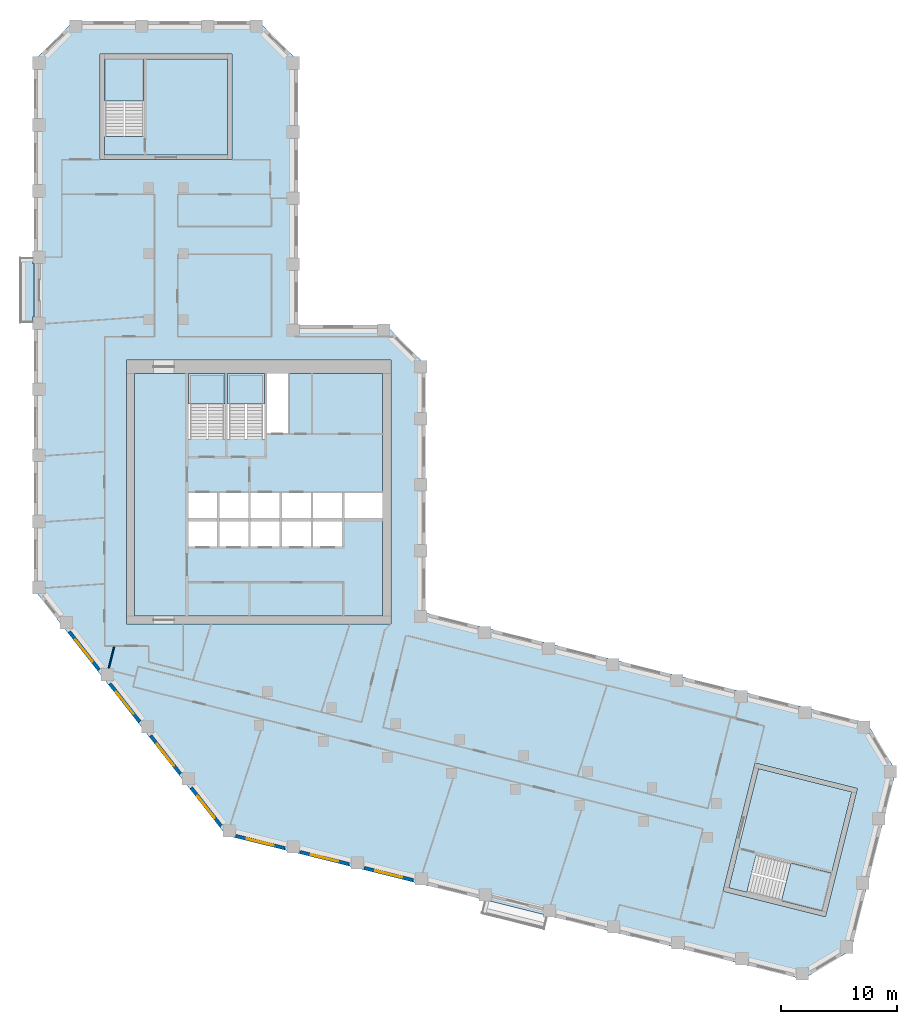
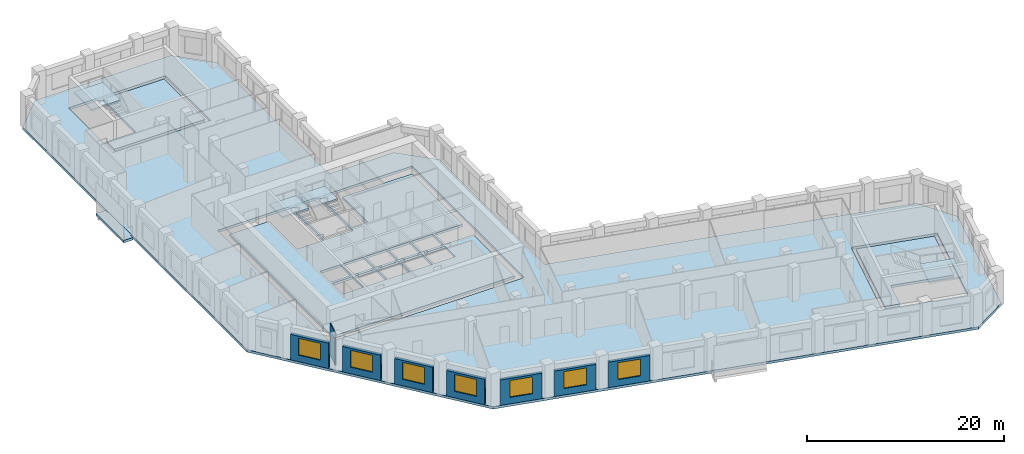
# One storey, part 2 of 10: 9 slabs, 8 walls, 7 windows, 7 openings, 4 elements without a shape of their own.
"""IFC4 building model written with IfcOpenShell, lengths in metres."""

from ifc_helpers import new_model, si_unit, direction, frame, frame_2d, origin, place, context, subcontext, project, spatial, polyline, rectangle, outline, extrude, material, layer, layer_set, type_object, element, fill, aggregate, save


model = new_model("IFC4")

# Units and contexts
model_context = context("Model", 3, precision=1e-05, world=origin(), true_north=direction((0.0, 1.0)))
body_context = subcontext(model_context, "Body", "Model", "MODEL_VIEW")
ifc_project = project(units=[si_unit("LENGTHUNIT", "METRE"), si_unit("AREAUNIT", "SQUARE_METRE"), si_unit("VOLUMEUNIT", "CUBIC_METRE"), si_unit("PLANEANGLEUNIT", "RADIAN"), si_unit("MASSUNIT", "GRAM", prefix="KILO")], contexts=[model_context])

# Site, building, storey
site_placement = place(None, origin())
site = spatial("IfcSite", under=ifc_project, at=site_placement, CompositionType="ELEMENT")
building_placement = place(site_placement, origin())
building = spatial("IfcBuilding", under=site, at=building_placement, Name="Meshkara Civic Tower", CompositionType="ELEMENT")
storey_placement = place(building_placement, frame((0.0, 0.0, 246.60009765625)))
storey = spatial("IfcBuildingStorey", under=building, at=storey_placement, Name="L56", CompositionType="ELEMENT", Elevation=246.60009765625)

# Slabs
ifc_material_1 = material(Name="Concrete C40", Category="concrete")
ifc_layer_1 = layer(ifc_material_1, 0.300048828125)
ifc_layer_set_1 = layer_set([ifc_layer_1], Name="BALCONY SLAB")
slab_type_1 = type_object("IfcSlabType", Name="BALCONY SLAB", PredefinedType="FLOOR", material=ifc_layer_set_1)
slab_1_placement = place(storey_placement, frame((0.0, 0.0, -0.300048828125)))
element("IfcSlab", 1, at=slab_1_placement, inside=storey, type_object=slab_type_1, Name="Balcony slab", PredefinedType="FLOOR", context=body_context, shape_type="SweptSolid", body=[
    extrude(outline(polyline([(-1.199951171875, 40.114990234375), (-1.199951171875, 45.695068359375), (-0.10009765625, 45.695068359375), (-0.10009765625, 45.205078125), (0.0, 45.205078125), (0.0, 40.60498046875), (-0.10009765625, 40.60498046875), (-0.10009765625, 40.114990234375), (-1.199951171875, 40.114990234375)])), origin(), (0.0, 0.0, 1.0), 0.300048828125),
])
ifc_material_2 = material(Name="Concrete C40/50", Category="concrete")
ifc_layer_2 = layer(ifc_material_2, 0.300048828125)
ifc_layer_set_2 = layer_set([ifc_layer_2], Name="Core floor slab 300 C40/50")
slab_type_2 = type_object("IfcSlabType", Name="Core floor slab 300 C40/50", PredefinedType="FLOOR", material=ifc_layer_set_2)
slab_2_placement = place(storey_placement, frame((0.0, 0.0, -0.300048828125)))
element("IfcSlab", 2, at=slab_2_placement, inside=storey, type_object=slab_type_2, Name="Core floor K", PredefinedType="FLOOR", context=body_context, shape_type="SweptSolid", body=[
    extrude(outline(polyline([(8.699951171875, 35.699951171875), (13.35009765625, 35.699951171875), (13.35009765625, 30.00146484375), (16.5, 30.00146484375), (16.5, 35.699951171875), (16.699951171875, 35.699951171875), (16.699951171875, 30.00146484375), (19.89990234375, 30.00146484375), (19.89990234375, 35.699951171875), (20.10009765625, 35.699951171875), (20.10009765625, 30.574951171875), (21.925048828125, 30.574951171875), (21.925048828125, 35.699951171875), (30.10009765625, 35.699951171875), (30.10009765625, 25.39990234375), (26.800048828125, 25.39990234375), (26.800048828125, 23.25), (30.10009765625, 23.25), (30.10009765625, 14.800048828125), (8.699951171875, 14.800048828125), (8.699951171875, 35.699951171875)]), holes=[polyline([(15.800048828125, 22.949951171875), (13.35009765625, 22.949951171875), (13.35009765625, 20.800048828125), (15.800048828125, 20.800048828125), (15.800048828125, 22.949951171875)]), polyline([(16.0, 22.949951171875), (16.0, 20.800048828125), (18.5, 20.800048828125), (18.5, 22.949951171875), (16.0, 22.949951171875)]), polyline([(18.699951171875, 22.949951171875), (18.699951171875, 20.800048828125), (21.199951171875, 20.800048828125), (21.199951171875, 22.949951171875), (18.699951171875, 22.949951171875)]), polyline([(15.800048828125, 23.25), (15.800048828125, 25.39990234375), (13.35009765625, 25.39990234375), (13.35009765625, 23.25), (15.800048828125, 23.25)]), polyline([(16.0, 25.39990234375), (16.0, 23.25), (18.5, 23.25), (18.5, 25.39990234375), (16.0, 25.39990234375)]), polyline([(23.89990234375, 20.800048828125), (23.89990234375, 22.949951171875), (21.39990234375, 22.949951171875), (21.39990234375, 20.800048828125), (23.89990234375, 20.800048828125)]), polyline([(24.10009765625, 20.800048828125), (26.60009765625, 20.800048828125), (26.60009765625, 22.949951171875), (24.10009765625, 22.949951171875), (24.10009765625, 20.800048828125)]), polyline([(18.699951171875, 25.39990234375), (18.699951171875, 23.25), (21.199951171875, 23.25), (21.199951171875, 25.39990234375), (18.699951171875, 25.39990234375)]), polyline([(21.39990234375, 23.25), (23.89990234375, 23.25), (23.89990234375, 25.39990234375), (21.39990234375, 25.39990234375), (21.39990234375, 23.25)]), polyline([(24.10009765625, 23.25), (26.60009765625, 23.25), (26.60009765625, 25.39990234375), (24.10009765625, 25.39990234375), (24.10009765625, 23.25)])]), origin(), (0.0, 0.0, 1.0), 0.300048828125),
])
slab_3_placement = place(storey_placement, frame((0.0, 0.0, -0.300048828125)))
element("IfcSlab", 3, at=slab_3_placement, inside=storey, type_object=slab_type_2, Name="Core floor EA", PredefinedType="FLOOR", context=body_context, shape_type="SweptSolid", body=[
    extrude(outline(polyline([(16.699951171875, 54.570068359375), (16.699951171875, 62.8701171875), (9.5, 62.8701171875), (9.5, 56.17138671875), (6.10009765625, 56.17138671875), (6.10009765625, 54.570068359375), (16.699951171875, 54.570068359375)])), origin(), (0.0, 0.0, 1.0), 0.300048828125),
])
slab_4_placement = place(storey_placement, frame((0.0, 0.0, -0.300048828125)))
element("IfcSlab", 4, at=slab_4_placement, inside=storey, type_object=slab_type_2, Name="Core floor EB", PredefinedType="FLOOR", context=body_context, shape_type="SweptSolid", body=[
    extrude(outline(polyline([(62.519775390625, 1.623291015625), (70.5732421875, -0.384765625), (68.83154296875, -7.370849609375), (62.33203125, -5.750244140625), (61.50927734375, -9.04931640625), (59.95556640625, -8.661865234375), (62.519775390625, 1.623291015625)])), origin(), (0.0, 0.0, 1.0), 0.300048828125),
])

# Stair, slab
ifc_material_3 = material(Name="Precast concrete C40/50", Category="concrete")
stair_type_1 = type_object("IfcStairType", Name="Exit stair half-turn 24 risers precast", PredefinedType="HALF_TURN_STAIR", material=ifc_material_3)
stair_1_placement = place(storey_placement, origin())
stair_1 = element("IfcStair", 5, at=stair_1_placement, inside=storey, type_object=stair_type_1, Name="L56 exit stair 1", PredefinedType="HALF_TURN_STAIR")
ifc_material_4 = material(Name="Precast concrete C40/50", Category="concrete")
ifc_layer_3 = layer(ifc_material_4, 0.199951171875)
ifc_layer_set_3 = layer_set([ifc_layer_3], Name="Exit stair landing 200")
slab_type_3 = type_object("IfcSlabType", Name="Exit stair landing 200", PredefinedType="LANDING", material=ifc_layer_set_3)
slab_5_placement = place(storey_placement, frame((0.0, 0.0, 1.89990234375)))
slab_5 = element("IfcSlab", 6, at=slab_5_placement, type_object=slab_type_3, Name="ST1 landing 1", PredefinedType="LANDING", context=body_context, shape_type="SweptSolid", body=[
    extrude(outline(polyline([(16.5, 33.07861328125), (16.5, 35.699951171875), (13.35009765625, 35.699951171875), (13.35009765625, 33.07861328125), (16.5, 33.07861328125)])), origin(), (0.0, 0.0, 1.0), 0.199951171875),
])
aggregate(stair_1, [slab_5])

stair_2_placement = place(storey_placement, origin())
stair_2 = element("IfcStair", 7, at=stair_2_placement, inside=storey, type_object=stair_type_1, Name="L56 exit stair 2", PredefinedType="HALF_TURN_STAIR")
slab_6_placement = place(storey_placement, frame((0.0, 0.0, 1.89990234375)))
slab_6 = element("IfcSlab", 8, at=slab_6_placement, type_object=slab_type_3, Name="ST2 landing 1", PredefinedType="LANDING", context=body_context, shape_type="SweptSolid", body=[
    extrude(outline(polyline([(19.89990234375, 33.07861328125), (19.89990234375, 35.699951171875), (16.699951171875, 35.699951171875), (16.699951171875, 33.07861328125), (19.89990234375, 33.07861328125)])), origin(), (0.0, 0.0, 1.0), 0.199951171875),
])
aggregate(stair_2, [slab_6])

ifc_material_5 = material(Name="Precast concrete C40/50", Category="concrete")
stair_type_2 = type_object("IfcStairType", Name="Exit stair half-turn 24 risers 1600 precast", PredefinedType="HALF_TURN_STAIR", material=ifc_material_5)
stair_3_placement = place(storey_placement, origin())
stair_3 = element("IfcStair", 9, at=stair_3_placement, inside=storey, type_object=stair_type_2, Name="L56 exit stair A from L50", PredefinedType="HALF_TURN_STAIR")
slab_7_placement = place(storey_placement, frame((0.0, 0.0, 1.89990234375)))
slab_7 = element("IfcSlab", 10, at=slab_7_placement, type_object=slab_type_3, Name="ESA4 landing 1", PredefinedType="LANDING", context=body_context, shape_type="SweptSolid", body=[
    extrude(outline(polyline([(9.5, 59.24853515625), (9.5, 62.8701171875), (6.10009765625, 62.8701171875), (6.10009765625, 59.24853515625), (9.5, 59.24853515625)])), origin(), (0.0, 0.0, 1.0), 0.199951171875),
])
aggregate(stair_3, [slab_7])

stair_4_placement = place(storey_placement, origin())
stair_4 = element("IfcStair", 11, at=stair_4_placement, inside=storey, type_object=stair_type_2, Name="L56 exit stair B from L50", PredefinedType="HALF_TURN_STAIR")
slab_8_placement = place(storey_placement, frame((0.0, 0.0, 1.89990234375)))
slab_8 = element("IfcSlab", 12, at=slab_8_placement, type_object=slab_type_3, Name="ESB4 landing 1", PredefinedType="LANDING", context=body_context, shape_type="SweptSolid", body=[
    extrude(outline(polyline([(64.49462890625, -9.794677734375), (68.0087890625, -10.67138671875), (68.83203125, -7.371337890625), (65.318115234375, -6.49462890625), (64.49462890625, -9.794677734375)])), origin(), (0.0, 0.0, 1.0), 0.199951171875),
])
aggregate(stair_4, [slab_8])

# Slab
ifc_material_6 = material(Name="Concrete C50", Category="concrete")
ifc_layer_4 = layer(ifc_material_6, 0.300048828125)
ifc_layer_set_4 = layer_set([ifc_layer_4], Name="Post-tensioned flat slab 300 C50")
slab_type_4 = type_object("IfcSlabType", Name="Post-tensioned flat slab 300 C50", PredefinedType="FLOOR", material=ifc_layer_set_4)
slab_9_placement = place(storey_placement, frame((0.0, 0.0, -0.300048828125)))
element("IfcSlab", 13, at=slab_9_placement, inside=storey, type_object=slab_type_4, Name="Post-tensioned flat slab L56", PredefinedType="FLOOR", context=body_context, shape_type="SweptSolid", body=[
    extrude(outline(polyline([(70.513916015625, -14.055908203125), (66.367919921875, -16.547119140625), (16.592041015625, -4.136962890625), (0.0, 17.10009765625), (0.0, 62.699951171875), (3.419921875, 66.1201171875), (19.3798828125, 66.1201171875), (22.800048828125, 62.699951171875), (22.800048828125, 39.89990234375), (30.3798828125, 39.89990234375), (33.800048828125, 36.47998046875), (33.800048828125, 15.071044921875), (71.884033203125, 5.574951171875), (74.375, 1.429931640625), (70.513916015625, -14.055908203125)]), holes=[polyline([(68.300048828125, -11.155029296875), (71.05810546875, -0.093017578125), (62.22802734375, 2.10791015625), (59.470947265625, -8.952880859375), (68.300048828125, -11.155029296875)]), polyline([(8.0, 14.10009765625), (30.800048828125, 14.10009765625), (30.800048828125, 36.89990234375), (8.0, 36.89990234375), (8.0, 14.10009765625)]), polyline([(5.699951171875, 63.27001953125), (5.699951171875, 54.169921875), (17.10009765625, 54.169921875), (17.10009765625, 63.27001953125), (5.699951171875, 63.27001953125)])]), origin(), (0.0, 0.0, 1.0), 0.300048828125),
])

# Wall, opening, window
ifc_material_7 = material(Name="Insulated infill panel with bronze anodised aluminium cladding", Category="aluminium")
ifc_layer_5 = layer(ifc_material_7, 0.300048828125)
ifc_layer_set_5 = layer_set([ifc_layer_5], Name="EXTERNAL INFILL WALL 300")
wall_type_1 = type_object("IfcWallType", Name="EXTERNAL INFILL WALL 300", PredefinedType="SOLIDWALL", material=ifc_layer_set_5)
wall_1_placement = place(storey_placement, frame((3.052978515625, 13.43603515625, 0.0), z_axis=(0.0, 0.0, 1.0), x_axis=(0.615699893917, -0.787980736205, 0.0)))
wall_1 = element("IfcWall", 14, at=wall_1_placement, inside=storey, type_object=wall_type_1, Name="External wall", PredefinedType="SOLIDWALL", context=body_context, shape_type="SweptSolid", body=[
    extrude(rectangle(XDim=4.156494140625, YDim=0.300048828125, at=frame_2d((2.078125, 0.0))), origin(), (0.0, 0.0, 1.0), 3.14990234375),
])
opening_1_placement = place(wall_1_placement, frame((0.8779296875, 0.0, 0.800048828125)))
opening_1 = element("IfcOpeningElement", 15, at=opening_1_placement, cuts=wall_1, Name="Opening W7", PredefinedType="OPENING", context=body_context, shape_type="SweptSolid", body=[
    extrude(rectangle(XDim=2.39990234375, YDim=2.10009765625, at=frame_2d((1.199951171875, 1.050048828125))), frame((0.0, 0.159912109375, 0.0), z_axis=(0.0, -1.0, 0.0), x_axis=(1.0, 0.0, 0.0)), (0.0, 0.0, 1.0), 0.320068359375),
])
ifc_material_8 = material(Name="Tinted double glazing", Category="glass")
window_type = type_object("IfcWindowType", Name="WINDOW 2400x2100", PartitioningType="DOUBLE_PANEL_VERTICAL", PredefinedType="WINDOW", material=ifc_material_8)
window_1_placement = place(opening_1_placement, origin())
window_1 = element("IfcWindow", 16, at=window_1_placement, inside=storey, type_object=window_type, Name="Window", OverallHeight=2.10009765625, OverallWidth=2.39990234375, PartitioningType="DOUBLE_PANEL_VERTICAL", PredefinedType="WINDOW", context=body_context, shape_type="SweptSolid", body=[
    extrude(rectangle(XDim=2.39990234375, YDim=2.10009765625, at=frame_2d((1.199951171875, 1.050048828125))), frame((0.0, 0.030029296875, 0.0), z_axis=(0.0, -1.0, 0.0), x_axis=(1.0, 0.0, 0.0)), (0.0, 0.0, 1.0), 0.06005859375),
])
fill(opening_1, window_1)

wall_2_placement = place(storey_placement, frame((6.56201171875, 8.944091796875, 0.0), z_axis=(0.0, 0.0, 1.0), x_axis=(0.615699893917, -0.787980736205, 0.0)))
wall_2 = element("IfcWall", 17, at=wall_2_placement, inside=storey, type_object=wall_type_1, Name="External wall", PredefinedType="SOLIDWALL", context=body_context, shape_type="SweptSolid", body=[
    extrude(rectangle(XDim=4.156494140625, YDim=0.300048828125, at=frame_2d((2.078125, 0.0))), origin(), (0.0, 0.0, 1.0), 3.14990234375),
])
opening_2_placement = place(wall_2_placement, frame((0.8779296875, 0.0, 0.800048828125)))
opening_2 = element("IfcOpeningElement", 18, at=opening_2_placement, cuts=wall_2, Name="Opening W7", PredefinedType="OPENING", context=body_context, shape_type="SweptSolid", body=[
    extrude(rectangle(XDim=2.39990234375, YDim=2.10009765625, at=frame_2d((1.199951171875, 1.050048828125))), frame((0.0, 0.159912109375, 0.0), z_axis=(0.0, -1.0, 0.0), x_axis=(1.0, 0.0, 0.0)), (0.0, 0.0, 1.0), 0.320068359375),
])
window_2_placement = place(opening_2_placement, origin())
window_2 = element("IfcWindow", 19, at=window_2_placement, inside=storey, type_object=window_type, Name="Window", OverallHeight=2.10009765625, OverallWidth=2.39990234375, PartitioningType="DOUBLE_PANEL_VERTICAL", PredefinedType="WINDOW", context=body_context, shape_type="SweptSolid", body=[
    extrude(rectangle(XDim=2.39990234375, YDim=2.10009765625, at=frame_2d((1.199951171875, 1.050048828125))), frame((0.0, 0.030029296875, 0.0), z_axis=(0.0, -1.0, 0.0), x_axis=(1.0, 0.0, 0.0)), (0.0, 0.0, 1.0), 0.06005859375),
])
fill(opening_2, window_2)

wall_3_placement = place(storey_placement, frame((10.072021484375, 4.451904296875, 0.0), z_axis=(0.0, 0.0, 1.0), x_axis=(0.615660006568, -0.788011901124, 0.0)))
wall_3 = element("IfcWall", 20, at=wall_3_placement, inside=storey, type_object=wall_type_1, Name="External wall", PredefinedType="SOLIDWALL", context=body_context, shape_type="SweptSolid", body=[
    extrude(rectangle(XDim=4.15478515625, YDim=0.300048828125, at=frame_2d((2.077392578125, 0.0))), origin(), (0.0, 0.0, 1.0), 3.14990234375),
])
opening_3_placement = place(wall_3_placement, frame((0.8779296875, 0.0, 0.800048828125)))
opening_3 = element("IfcOpeningElement", 21, at=opening_3_placement, cuts=wall_3, Name="Opening W7", PredefinedType="OPENING", context=body_context, shape_type="SweptSolid", body=[
    extrude(rectangle(XDim=2.39990234375, YDim=2.10009765625, at=frame_2d((1.199951171875, 1.050048828125))), frame((0.0, 0.159912109375, 0.0), z_axis=(0.0, -1.0, 0.0), x_axis=(1.0, 0.0, 0.0)), (0.0, 0.0, 1.0), 0.320068359375),
])
window_3_placement = place(opening_3_placement, origin())
window_3 = element("IfcWindow", 22, at=window_3_placement, inside=storey, type_object=window_type, Name="Window", OverallHeight=2.10009765625, OverallWidth=2.39990234375, PartitioningType="DOUBLE_PANEL_VERTICAL", PredefinedType="WINDOW", context=body_context, shape_type="SweptSolid", body=[
    extrude(rectangle(XDim=2.39990234375, YDim=2.10009765625, at=frame_2d((1.199951171875, 1.050048828125))), frame((0.0, 0.030029296875, 0.0), z_axis=(0.0, -1.0, 0.0), x_axis=(1.0, 0.0, 0.0)), (0.0, 0.0, 1.0), 0.06005859375),
])
fill(opening_3, window_3)

wall_4_placement = place(storey_placement, frame((13.5810546875, -0.0390625, 0.0), z_axis=(0.0, 0.0, 1.0), x_axis=(0.615545986363, -0.788100969846, 0.0)))
wall_4 = element("IfcWall", 23, at=wall_4_placement, inside=storey, type_object=wall_type_1, Name="External wall", PredefinedType="SOLIDWALL", context=body_context, shape_type="SweptSolid", body=[
    extrude(rectangle(XDim=4.155517578125, YDim=0.300048828125, at=frame_2d((2.07763671875, 0.0))), origin(), (0.0, 0.0, 1.0), 3.14990234375),
])
opening_4_placement = place(wall_4_placement, frame((0.8779296875, 0.0, 0.800048828125)))
opening_4 = element("IfcOpeningElement", 24, at=opening_4_placement, cuts=wall_4, Name="Opening W7", PredefinedType="OPENING", context=body_context, shape_type="SweptSolid", body=[
    extrude(rectangle(XDim=2.39990234375, YDim=2.10009765625, at=frame_2d((1.199951171875, 1.050048828125))), frame((0.0, 0.159912109375, 0.0), z_axis=(0.0, -1.0, 0.0), x_axis=(1.0, 0.0, 0.0)), (0.0, 0.0, 1.0), 0.320068359375),
])
window_4_placement = place(opening_4_placement, origin())
window_4 = element("IfcWindow", 25, at=window_4_placement, inside=storey, type_object=window_type, Name="Window", OverallHeight=2.10009765625, OverallWidth=2.39990234375, PartitioningType="DOUBLE_PANEL_VERTICAL", PredefinedType="WINDOW", context=body_context, shape_type="SweptSolid", body=[
    extrude(rectangle(XDim=2.39990234375, YDim=2.10009765625, at=frame_2d((1.199951171875, 1.050048828125))), frame((0.0, 0.030029296875, 0.0), z_axis=(0.0, -1.0, 0.0), x_axis=(1.0, 0.0, 0.0)), (0.0, 0.0, 1.0), 0.06005859375),
])
fill(opening_4, window_4)

wall_5_placement = place(storey_placement, frame((17.425048828125, -4.18994140625, 0.0), z_axis=(0.0, 0.0, 1.0), x_axis=(0.970270592847, -0.242022677978, 0.0)))
wall_5 = element("IfcWall", 26, at=wall_5_placement, inside=storey, type_object=wall_type_1, Name="External wall", PredefinedType="SOLIDWALL", context=body_context, shape_type="SweptSolid", body=[
    extrude(rectangle(XDim=4.367919921875, YDim=0.300048828125, at=frame_2d((2.18408203125, 0.0))), origin(), (0.0, 0.0, 1.0), 3.14990234375),
])
opening_5_placement = place(wall_5_placement, frame((0.98291015625, 0.0, 0.800048828125)))
opening_5 = element("IfcOpeningElement", 27, at=opening_5_placement, cuts=wall_5, Name="Opening W7", PredefinedType="OPENING", context=body_context, shape_type="SweptSolid", body=[
    extrude(rectangle(XDim=2.39990234375, YDim=2.10009765625, at=frame_2d((1.199951171875, 1.050048828125))), frame((0.0, 0.159912109375, 0.0), z_axis=(0.0, -1.0, 0.0), x_axis=(1.0, 0.0, 0.0)), (0.0, 0.0, 1.0), 0.320068359375),
])
window_5_placement = place(opening_5_placement, origin())
window_5 = element("IfcWindow", 28, at=window_5_placement, inside=storey, type_object=window_type, Name="Window", OverallHeight=2.10009765625, OverallWidth=2.39990234375, PartitioningType="DOUBLE_PANEL_VERTICAL", PredefinedType="WINDOW", context=body_context, shape_type="SweptSolid", body=[
    extrude(rectangle(XDim=2.39990234375, YDim=2.10009765625, at=frame_2d((1.199951171875, 1.050048828125))), frame((0.0, 0.030029296875, 0.0), z_axis=(0.0, -1.0, 0.0), x_axis=(1.0, 0.0, 0.0)), (0.0, 0.0, 1.0), 0.06005859375),
])
fill(opening_5, window_5)

wall_6_placement = place(storey_placement, frame((22.9560546875, -5.569091796875, 0.0), z_axis=(0.0, 0.0, 1.0), x_axis=(0.970323116569, -0.241812012628, 0.0)))
wall_6 = element("IfcWall", 29, at=wall_6_placement, inside=storey, type_object=wall_type_1, Name="External wall", PredefinedType="SOLIDWALL", context=body_context, shape_type="SweptSolid", body=[
    extrude(rectangle(XDim=4.36669921875, YDim=0.300048828125, at=frame_2d((2.183349609375, 0.0))), origin(), (0.0, 0.0, 1.0), 3.14990234375),
])
opening_6_placement = place(wall_6_placement, frame((0.98291015625, 0.0, 0.800048828125)))
opening_6 = element("IfcOpeningElement", 30, at=opening_6_placement, cuts=wall_6, Name="Opening W7", PredefinedType="OPENING", context=body_context, shape_type="SweptSolid", body=[
    extrude(rectangle(XDim=2.39990234375, YDim=2.10009765625, at=frame_2d((1.199951171875, 1.050048828125))), frame((0.0, 0.159912109375, 0.0), z_axis=(0.0, -1.0, 0.0), x_axis=(1.0, 0.0, 0.0)), (0.0, 0.0, 1.0), 0.320068359375),
])
window_6_placement = place(opening_6_placement, origin())
window_6 = element("IfcWindow", 31, at=window_6_placement, inside=storey, type_object=window_type, Name="Window", OverallHeight=2.10009765625, OverallWidth=2.39990234375, PartitioningType="DOUBLE_PANEL_VERTICAL", PredefinedType="WINDOW", context=body_context, shape_type="SweptSolid", body=[
    extrude(rectangle(XDim=2.39990234375, YDim=2.10009765625, at=frame_2d((1.199951171875, 1.050048828125))), frame((0.0, 0.030029296875, 0.0), z_axis=(0.0, -1.0, 0.0), x_axis=(1.0, 0.0, 0.0)), (0.0, 0.0, 1.0), 0.06005859375),
])
fill(opening_6, window_6)

wall_7_placement = place(storey_placement, frame((28.486083984375, -6.947998046875, 0.0), z_axis=(0.0, 0.0, 1.0), x_axis=(0.970336189295, -0.241759549438, 0.0)))
wall_7 = element("IfcWall", 32, at=wall_7_placement, inside=storey, type_object=wall_type_1, Name="External wall", PredefinedType="SOLIDWALL", context=body_context, shape_type="SweptSolid", body=[
    extrude(rectangle(XDim=4.36767578125, YDim=0.300048828125, at=frame_2d((2.183837890625, 0.0))), origin(), (0.0, 0.0, 1.0), 3.14990234375),
])
opening_7_placement = place(wall_7_placement, frame((0.98291015625, 0.0, 0.800048828125)))
opening_7 = element("IfcOpeningElement", 33, at=opening_7_placement, cuts=wall_7, Name="Opening W7", PredefinedType="OPENING", context=body_context, shape_type="SweptSolid", body=[
    extrude(rectangle(XDim=2.39990234375, YDim=2.10009765625, at=frame_2d((1.199951171875, 1.050048828125))), frame((0.0, 0.159912109375, 0.0), z_axis=(0.0, -1.0, 0.0), x_axis=(1.0, 0.0, 0.0)), (0.0, 0.0, 1.0), 0.320068359375),
])
window_7_placement = place(opening_7_placement, origin())
window_7 = element("IfcWindow", 34, at=window_7_placement, inside=storey, type_object=window_type, Name="Window", OverallHeight=2.10009765625, OverallWidth=2.39990234375, PartitioningType="DOUBLE_PANEL_VERTICAL", PredefinedType="WINDOW", context=body_context, shape_type="SweptSolid", body=[
    extrude(rectangle(XDim=2.39990234375, YDim=2.10009765625, at=frame_2d((1.199951171875, 1.050048828125))), frame((0.0, 0.030029296875, 0.0), z_axis=(0.0, -1.0, 0.0), x_axis=(1.0, 0.0, 0.0)), (0.0, 0.0, 1.0), 0.06005859375),
])
fill(opening_7, window_7)

# Wall
ifc_material_9 = material(Name="Partition 100")
ifc_layer_6 = layer(ifc_material_9, 0.10009765625)
ifc_layer_set_6 = layer_set([ifc_layer_6], Name="Partition 100")
wall_type_2 = type_object("IfcWallType", Name="Partition 100", PredefinedType="PARTITIONING", material=ifc_layer_set_6)
wall_8_placement = place(storey_placement, frame((6.922119140625, 12.137939453125, 0.0), z_axis=(0.0, 0.0, 1.0), x_axis=(-0.242264600824, -0.970210215978, 0.0)))
element("IfcWall", 35, at=wall_8_placement, inside=storey, type_object=wall_type_2, Name="L56-W043", PredefinedType="PARTITIONING", context=body_context, shape_type="SweptSolid", body=[
    extrude(rectangle(XDim=1.90771484375, YDim=0.10009765625, at=frame_2d((0.953857421875, 0.0))), origin(), (0.0, 0.0, 1.0), 3.89990234375),
])

save(model, "model.ifc")
